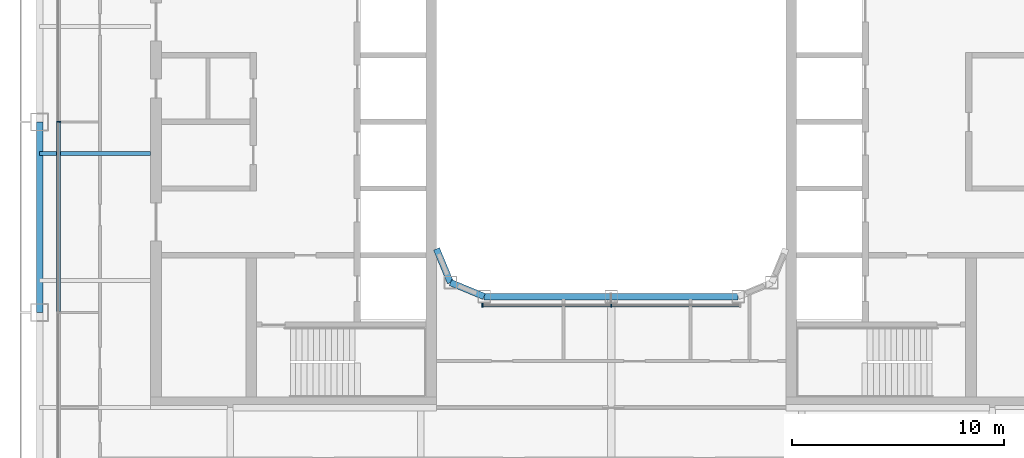
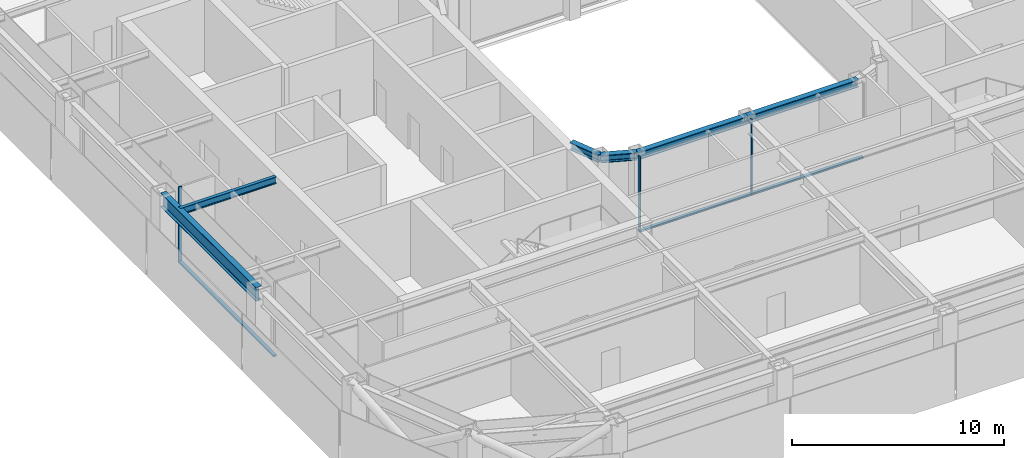
# One storey, part 3 of 19: 6 beams, 6 members, 2 elements without a shape of their own.
"""IFC4 building model written with IfcOpenShell, lengths in metres."""

from ifc_helpers import new_model, si_unit, direction, frame, origin, origin_2d, place, context, subcontext, project, spatial, rectangle, i_section, extrude, material, layer, layer_set, material_profile, profile_set, type_object, element, aggregate, save


model = new_model("IFC4")

# Units and contexts
model_context = context("Model", 3, precision=1e-05, world=origin(), true_north=direction((0.0, 1.0)))
body_context = subcontext(model_context, "Body", "Model", "MODEL_VIEW")
ifc_project = project(units=[si_unit("LENGTHUNIT", "METRE"), si_unit("AREAUNIT", "SQUARE_METRE"), si_unit("VOLUMEUNIT", "CUBIC_METRE"), si_unit("PLANEANGLEUNIT", "RADIAN"), si_unit("MASSUNIT", "GRAM", prefix="KILO")], contexts=[model_context])

# Site, building, storey
site_placement = place(None, origin())
site = spatial("IfcSite", under=ifc_project, at=site_placement, CompositionType="ELEMENT")
building_placement = place(site_placement, origin())
building = spatial("IfcBuilding", under=site, at=building_placement, Name="Siwar Civic Tower", CompositionType="ELEMENT")
storey_placement = place(building_placement, frame((0.0, 0.0, 210.699951171875)))
storey = spatial("IfcBuildingStorey", under=building, at=storey_placement, Name="L45", CompositionType="ELEMENT", Elevation=210.699951171875)

# Curtain wall, member
ifc_material_1 = material(Name="Aluminium and glass", Category="aluminium")
ifc_layer_1 = layer(ifc_material_1, 0.179931640625)
ifc_layer_set_1 = layer_set([ifc_layer_1], Name="Aluminium and glass")
curtain_wall_type_1 = type_object("IfcCurtainWallType", Name="ENV-CW-C", PredefinedType="NOTDEFINED", material=ifc_layer_set_1)
curtain_wall_1_placement = place(storey_placement, origin())
curtain_wall_1 = element("IfcCurtainWall", 1, at=curtain_wall_1_placement, inside=storey, type_object=curtain_wall_type_1, Name="Curtain wall C W", PredefinedType="NOTDEFINED")
ifc_material_2 = material(Name="Aluminium 6063-T6", Category="aluminium")
ifc_material_profile_1 = material_profile(ifc_material_2, rectangle(XDim=0.179931640625, YDim=0.06005859375, at=origin_2d()), Name="AL 180x60")
ifc_profile_set_1 = profile_set([ifc_material_profile_1], Name="Aluminium 6063-T6")
member_type_1 = type_object("IfcMemberType", Name="ENV-MULLION-C", PredefinedType="MULLION", material=ifc_profile_set_1)
member_1_placement = place(storey_placement, frame((-26.10009765625, 0.0, 0.0), z_axis=(0.0, 0.0, 1.0), x_axis=(1.0, 0.0, 0.0)))
member_1 = element("IfcMember", 2, at=member_1_placement, type_object=member_type_1, Name="Mullion C W 3", PredefinedType="MULLION", context=body_context, shape_type="SweptSolid", body=[
    extrude(rectangle(XDim=0.179931640625, YDim=0.06005859375, at=origin_2d()), origin(), (0.0, 0.0, 1.0), 4.35009765625),
])

# Curtain wall, members
ifc_material_3 = material(Name="Aluminium and glass", Category="aluminium")
ifc_layer_2 = layer(ifc_material_3, 0.179931640625)
ifc_layer_set_2 = layer_set([ifc_layer_2], Name="Aluminium and glass")
curtain_wall_type_2 = type_object("IfcCurtainWallType", Name="ENV-CW-W", PredefinedType="NOTDEFINED", material=ifc_layer_set_2)
curtain_wall_2_placement = place(storey_placement, origin())
curtain_wall_2 = element("IfcCurtainWall", 3, at=curtain_wall_2_placement, inside=storey, type_object=curtain_wall_type_2, Name="Curtain wall W WS", PredefinedType="NOTDEFINED")
ifc_material_4 = material(Name="Aluminium 6063-T6", Category="aluminium")
ifc_material_profile_2 = material_profile(ifc_material_4, rectangle(XDim=0.179931640625, YDim=0.06005859375, at=origin_2d()), Name="AL 180x60")
ifc_profile_set_2 = profile_set([ifc_material_profile_2], Name="Aluminium 6063-T6")
member_type_2 = type_object("IfcMemberType", Name="ENV-MULLION-W", PredefinedType="MULLION", material=ifc_profile_set_2)
member_2_placement = place(storey_placement, frame((-6.08154296875, -8.659912109375, 0.0), z_axis=(0.0, 0.0, 1.0), x_axis=(0.0, 1.0, 0.0)))
member_2 = element("IfcMember", 4, at=member_2_placement, type_object=member_type_2, Name="Mullion W WS 1", PredefinedType="MULLION", context=body_context, shape_type="SweptSolid", body=[
    extrude(rectangle(XDim=0.179931640625, YDim=0.06005859375, at=origin_2d()), origin(), (0.0, 0.0, 1.0), 4.35009765625),
])
member_3_placement = place(storey_placement, frame((0.0, -8.659912109375, 0.0), z_axis=(0.0, 0.0, 1.0), x_axis=(0.0, 1.0, 0.0)))
member_3 = element("IfcMember", 5, at=member_3_placement, type_object=member_type_2, Name="Mullion W WS 2", PredefinedType="MULLION", context=body_context, shape_type="SweptSolid", body=[
    extrude(rectangle(XDim=0.179931640625, YDim=0.06005859375, at=origin_2d()), origin(), (0.0, 0.0, 1.0), 4.35009765625),
])

# Member
ifc_material_5 = material(Name="Aluminium 6063-T6", Category="aluminium")
ifc_material_profile_3 = material_profile(ifc_material_5, rectangle(XDim=0.179931640625, YDim=0.10009765625, at=origin_2d()), Name="AL 180x100")
ifc_profile_set_3 = profile_set([ifc_material_profile_3], Name="Aluminium 6063-T6")
member_type_3 = type_object("IfcMemberType", Name="ENV-TRANSOM-C", PredefinedType="USERDEFINED", material=ifc_profile_set_3)
member_4_placement = place(storey_placement, frame((-26.10009765625, -0.030029296875, 0.050048828125), z_axis=(0.0, -1.0, 0.0), x_axis=(1.0, 0.0, 0.0)))
member_4 = element("IfcMember", 6, at=member_4_placement, type_object=member_type_3, Name="Transom C W 3", ObjectType="TRANSOM", PredefinedType="USERDEFINED", context=body_context, shape_type="SweptSolid", body=[
    extrude(rectangle(XDim=0.179931640625, YDim=0.10009765625, at=origin_2d()), origin(), (0.0, 0.0, 1.0), 8.93994140625),
])

aggregate(curtain_wall_1, [member_1, member_4])

ifc_material_6 = material(Name="Aluminium 6063-T6", Category="aluminium")
ifc_material_profile_4 = material_profile(ifc_material_6, rectangle(XDim=0.179931640625, YDim=0.10009765625, at=origin_2d()), Name="AL 180x100")
ifc_profile_set_4 = profile_set([ifc_material_profile_4], Name="Aluminium 6063-T6")
member_type_4 = type_object("IfcMemberType", Name="ENV-TRANSOM-W", PredefinedType="USERDEFINED", material=ifc_profile_set_4)
member_5_placement = place(storey_placement, frame((-6.051513671875, -8.659912109375, 0.050048828125), z_axis=(1.0, 0.0, 0.0), x_axis=(0.0, 1.0, 0.0)))
member_5 = element("IfcMember", 7, at=member_5_placement, type_object=member_type_4, Name="Transom W WS 1", ObjectType="TRANSOM", PredefinedType="USERDEFINED", context=body_context, shape_type="SweptSolid", body=[
    extrude(rectangle(XDim=0.179931640625, YDim=0.10009765625, at=origin_2d()), origin(), (0.0, 0.0, 1.0), 6.021484375),
])

member_6_placement = place(storey_placement, frame((0.030029296875, -8.659912109375, 0.050048828125), z_axis=(1.0, 0.0, 0.0), x_axis=(0.0, 1.0, 0.0)))
member_6 = element("IfcMember", 8, at=member_6_placement, type_object=member_type_4, Name="Transom W WS 2", ObjectType="TRANSOM", PredefinedType="USERDEFINED", context=body_context, shape_type="SweptSolid", body=[
    extrude(rectangle(XDim=0.179931640625, YDim=0.10009765625, at=origin_2d()), origin(), (0.0, 0.0, 1.0), 6.021484375),
])

aggregate(curtain_wall_2, [member_2, member_3, member_5, member_6])

# Beams
ifc_material_7 = material(Name="Steel S355", Category="steel")
ifc_material_profile_5 = material_profile(ifc_material_7, i_section(OverallWidth=0.179931640625, OverallDepth=0.39990234375, WebThickness=0.008544921875, FlangeThickness=0.013427734375, FilletRadius=0.02099609375, at=origin_2d()), Name="IPE400")
ifc_profile_set_5 = profile_set([ifc_material_profile_5], Name="Steel S355")
beam_type_1 = type_object("IfcBeamType", Name="STR-FB-IPE400", PredefinedType="JOIST", material=ifc_profile_set_5)
beam_1_placement = place(storey_placement, frame((-27.0, -1.5, 4.150146484375), z_axis=(1.0, 0.0, 0.0), x_axis=(0.0, 1.0, 0.0)))
element("IfcBeam", 9, at=beam_1_placement, inside=storey, type_object=beam_type_1, Name="L45/bm/F023", PredefinedType="JOIST", context=body_context, shape_type="SweptSolid", body=[
    extrude(i_section(OverallWidth=0.179931640625, OverallDepth=0.39990234375, WebThickness=0.008544921875, FlangeThickness=0.013427734375, FilletRadius=0.02099609375, at=origin_2d()), origin(), (0.0, 0.0, 1.0), 5.25),
])
ifc_material_8 = material(Name="Steel S355", Category="steel")
ifc_material_profile_6 = material_profile(ifc_material_8, i_section(OverallWidth=0.306884765625, OverallDepth=0.431884765625, WebThickness=0.02099609375, FlangeThickness=0.0400390625, FilletRadius=0.027099609375, at=origin_2d()), Name="HEM400")
ifc_profile_set_6 = profile_set([ifc_material_profile_6], Name="Steel S355")
beam_type_2 = type_object("IfcBeamType", Name="STR-RB-HEM400", PredefinedType="BEAM", material=ifc_profile_set_6)
beam_2_placement = place(storey_placement, frame((-7.591064453125, -7.591064453125, 4.134033203125), z_axis=(0.923901072997, -0.382631424892, 0.0), x_axis=(0.382631424892, 0.923901072997, 0.0)))
element("IfcBeam", 10, at=beam_2_placement, inside=storey, type_object=beam_type_2, Name="L45/bm/RS0", PredefinedType="BEAM", context=body_context, shape_type="SweptSolid", body=[
    extrude(i_section(OverallWidth=0.306884765625, OverallDepth=0.431884765625, WebThickness=0.02099609375, FlangeThickness=0.0400390625, FilletRadius=0.027099609375, at=origin_2d()), origin(), (0.0, 0.0, 1.0), 1.72216796875),
])
for number, where, z_axis, x_axis, name in (
    (11, (-6.0, -8.25, 4.134033203125), (1.0, 0.0, 0.0), (0.0, 1.0, 0.0), "L45/bm/RS1"),
    (12, (0.0, -8.25, 4.134033203125), (1.0, 0.0, 0.0), (0.0, 1.0, 0.0), "L45/bm/RS2"),
):
    element("IfcBeam", number, at=place(storey_placement, frame(where, z_axis=z_axis, x_axis=x_axis)), inside=storey, type_object=beam_type_2, Name=name, PredefinedType="BEAM", context=body_context, shape_type="SweptSolid", body=[
        extrude(i_section(OverallWidth=0.306884765625, OverallDepth=0.431884765625, WebThickness=0.02099609375, FlangeThickness=0.0400390625, FilletRadius=0.027099609375, at=origin_2d()), origin(), (0.0, 0.0, 1.0), 6.0),
    ])
beam_3_placement = place(storey_placement, frame((-7.591064453125, -7.591064453125, 4.134033203125), z_axis=(-0.382631424892, 0.923901072997, 0.0), x_axis=(-0.923901072997, -0.382631424892, 0.0)))
element("IfcBeam", 13, at=beam_3_placement, inside=storey, type_object=beam_type_2, Name="L45/bm/RSEW", PredefinedType="BEAM", context=body_context, shape_type="SweptSolid", body=[
    extrude(i_section(OverallWidth=0.306884765625, OverallDepth=0.431884765625, WebThickness=0.02099609375, FlangeThickness=0.0400390625, FilletRadius=0.027099609375, at=origin_2d()), origin(), (0.0, 0.0, 1.0), 1.72216796875),
])
ifc_material_9 = material(Name="Steel S355", Category="steel")
ifc_material_profile_7 = material_profile(ifc_material_9, i_section(OverallWidth=0.300048828125, OverallDepth=0.800048828125, WebThickness=0.017578125, FlangeThickness=0.032958984375, FilletRadius=0.030029296875, at=origin_2d()), Name="HEB800")
ifc_profile_set_7 = profile_set([ifc_material_profile_7], Name="Steel S355")
beam_type_3 = type_object("IfcBeamType", Name="STR-SB-HEB800", PredefinedType="BEAM", material=ifc_profile_set_7)
beam_4_placement = place(storey_placement, frame((-27.0, 0.0, 3.949951171875), z_axis=(0.0, -1.0, 0.0), x_axis=(1.0, 0.0, 0.0)))
element("IfcBeam", 14, at=beam_4_placement, inside=storey, type_object=beam_type_3, Name="L45/bm/SW-2", PredefinedType="BEAM", context=body_context, shape_type="SweptSolid", body=[
    extrude(i_section(OverallWidth=0.300048828125, OverallDepth=0.800048828125, WebThickness=0.017578125, FlangeThickness=0.032958984375, FilletRadius=0.030029296875, at=origin_2d()), origin(), (0.0, 0.0, 1.0), 9.0),
])

save(model, "model.ifc")
